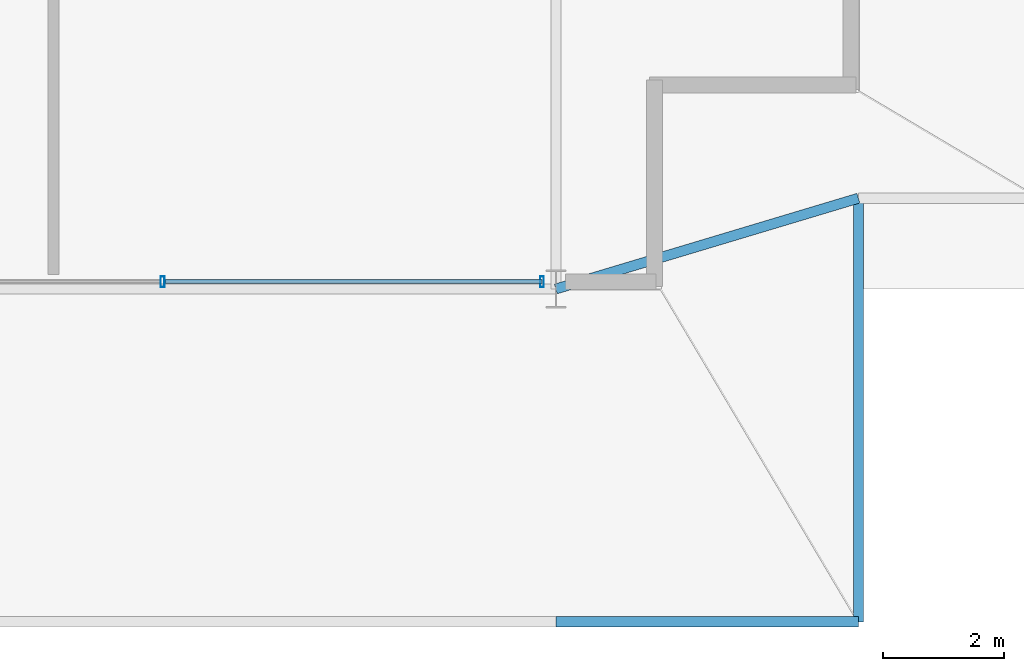
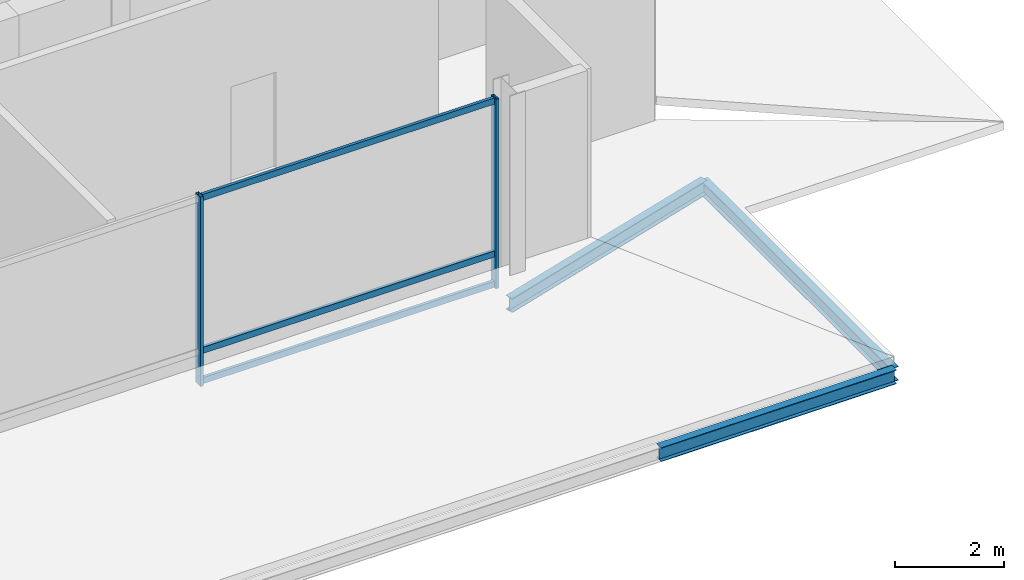
# One storey, part 4 of 9: 5 members, 3 beams, 1 element without a shape of its own.
"""IFC4 building model written with IfcOpenShell, lengths in metres."""

from ifc_helpers import new_model, si_unit, direction, frame, origin, origin_2d, place, context, subcontext, project, spatial, hollow_rectangle, i_section, extrude, material, layer, layer_set, material_profile, profile_set, type_object, element, aggregate, save


model = new_model("IFC4")

# Units and contexts
model_context = context("Model", 3, precision=1e-05, world=origin(), true_north=direction((0.0, 1.0)))
body_context = subcontext(model_context, "Body", "Model", "MODEL_VIEW")
ifc_project = project(units=[si_unit("LENGTHUNIT", "METRE"), si_unit("AREAUNIT", "SQUARE_METRE"), si_unit("VOLUMEUNIT", "CUBIC_METRE"), si_unit("PLANEANGLEUNIT", "RADIAN"), si_unit("MASSUNIT", "GRAM", prefix="KILO")], contexts=[model_context])

# Site, building, storey
site_placement = place(None, origin())
site = spatial("IfcSite", under=ifc_project, at=site_placement, CompositionType="ELEMENT")
building_placement = place(site_placement, origin())
building = spatial("IfcBuilding", under=site, at=building_placement, Name="Barlavira Tower and Art Museum", CompositionType="ELEMENT")
storey_placement = place(building_placement, frame((0.0, 0.0, 309.89990234375)))
storey = spatial("IfcBuildingStorey", under=building, at=storey_placement, Name="L81", CompositionType="ELEMENT", Elevation=309.89990234375)

# Beams
ifc_material_1 = material(Name="Steel S355", Category="steel")
ifc_material_profile_1 = material_profile(ifc_material_1, i_section(OverallWidth=0.1669921875, OverallDepth=0.31689453125, WebThickness=0.007568359375, FlangeThickness=0.01318359375, at=origin_2d()), Name="W310x52.0")
ifc_profile_set_1 = profile_set([ifc_material_profile_1], Name="Steel S355")
beam_type = type_object("IfcBeamType", Name="Crown Floor Joist W310x52 Steel S355", PredefinedType="JOIST", material=ifc_profile_set_1)
beam_1_placement = place(storey_placement, frame((6.5, -20.0, -0.408447265625), z_axis=(1.0, 0.0, 0.0), x_axis=(0.0, 1.0, 0.0)))
element("IfcBeam", 1, at=beam_1_placement, inside=storey, type_object=beam_type, Name="L81 Lookout Canopy Ring Beam CANS3", PredefinedType="JOIST", context=body_context, shape_type="SweptSolid", body=[
    extrude(i_section(OverallWidth=0.1669921875, OverallDepth=0.31689453125, WebThickness=0.007568359375, FlangeThickness=0.01318359375, at=origin_2d()), origin(), (0.0, 0.0, 1.0), 5.0),
])
beam_2_placement = place(storey_placement, frame((11.5, -20.0, -0.408447265625), z_axis=(0.0, 1.0, 0.0), x_axis=(-1.0, 0.0, 0.0)))
element("IfcBeam", 2, at=beam_2_placement, inside=storey, type_object=beam_type, Name="L81 Lookout Canopy Ring Beam CSE1", PredefinedType="JOIST", context=body_context, shape_type="SweptSolid", body=[
    extrude(i_section(OverallWidth=0.1669921875, OverallDepth=0.31689453125, WebThickness=0.007568359375, FlangeThickness=0.01318359375, at=origin_2d()), origin(), (0.0, 0.0, 1.0), 7.0),
])
beam_3_placement = place(storey_placement, frame((11.5, -13.0, -0.408447265625), z_axis=(-0.957826285221, -0.287347885566, 0.0), x_axis=(0.287347885566, -0.957826285221, 0.0)))
element("IfcBeam", 3, at=beam_3_placement, inside=storey, type_object=beam_type, Name="L81 Lookout Canopy Ring Beam CRSE", PredefinedType="JOIST", context=body_context, shape_type="SweptSolid", body=[
    extrude(i_section(OverallWidth=0.1669921875, OverallDepth=0.31689453125, WebThickness=0.007568359375, FlangeThickness=0.01318359375, at=origin_2d()), origin(), (0.0, 0.0, 1.0), 5.22021484375),
])

# Curtain wall, members
ifc_material_2 = material(Name="Low-iron coastal laminated glass", Category="glass")
ifc_layer = layer(ifc_material_2, 0.22998046875, Name="Low-iron coastal laminated glass")
ifc_layer_set = layer_set([ifc_layer], Name="Low-iron coastal laminated glass")
curtain_wall_type = type_object("IfcCurtainWallType", Name="Winter-Garden Conservatory Glazed Curtain Wall", PredefinedType="NOTDEFINED", material=ifc_layer_set)
curtain_wall_placement = place(storey_placement, origin())
curtain_wall = element("IfcCurtainWall", 4, at=curtain_wall_placement, inside=storey, type_object=curtain_wall_type, Name="L81 Curtain Wall CW7-L81-S-B2", PredefinedType="NOTDEFINED")
ifc_material_3 = material(Name="Pale anodised aluminium", Category="aluminium")
ifc_material_profile_2 = material_profile(ifc_material_3, hollow_rectangle(XDim=0.06494140625, YDim=0.179931640625, WallThickness=0.00390625, at=origin_2d()), Name="ALU-MULL 65x180x4")
ifc_profile_set_2 = profile_set([ifc_material_profile_2], Name="Pale anodised aluminium")
member_type_1 = type_object("IfcMemberType", Name="Curtain Wall Pale-Metal Mullion 65x180", PredefinedType="MULLION", material=ifc_profile_set_2)
member_1_placement = place(storey_placement, frame((0.0, -14.3798828125, 0.0), z_axis=(0.0, 0.0, 1.0), x_axis=(1.0, 0.0, 0.0)))
member_1 = element("IfcMember", 5, at=member_1_placement, type_object=member_type_1, Name="CW7-L81-S-B2 Mullion 1", PredefinedType="MULLION", context=body_context, shape_type="SweptSolid", body=[
    extrude(hollow_rectangle(XDim=0.06494140625, YDim=0.179931640625, WallThickness=0.00390625, at=origin_2d()), origin(), (0.0, 0.0, 1.0), 4.25),
])
member_2_placement = place(storey_placement, frame((6.27099609375, -14.3798828125, 0.0), z_axis=(0.0, 0.0, 1.0), x_axis=(1.0, 0.0, 0.0)))
member_2 = element("IfcMember", 6, at=member_2_placement, type_object=member_type_1, Name="CW7-L81-S-B2 Mullion 2", PredefinedType="MULLION", context=body_context, shape_type="SweptSolid", body=[
    extrude(hollow_rectangle(XDim=0.06494140625, YDim=0.179931640625, WallThickness=0.00390625, at=origin_2d()), origin(), (0.0, 0.0, 1.0), 4.25),
])
ifc_material_profile_3 = material_profile(ifc_material_3, hollow_rectangle(XDim=0.06494140625, YDim=0.139892578125, WallThickness=0.00390625, at=origin_2d()), Name="ALU-TRAN 65x140x4")
ifc_profile_set_3 = profile_set([ifc_material_profile_3], Name="Pale anodised aluminium")
member_type_2 = type_object("IfcMemberType", Name="Curtain Wall Pale-Metal Transom 65x140", PredefinedType="USERDEFINED", material=ifc_profile_set_3)
member_3_placement = place(storey_placement, frame((0.044921875, -14.3798828125, 0.070068359375), z_axis=(1.0, 0.0, 0.0), x_axis=(0.0, 1.0, 0.0)))
member_3 = element("IfcMember", 7, at=member_3_placement, type_object=member_type_2, Name="CW7-L81-S-B2 Transom 1.1", ObjectType="TRANSOM", PredefinedType="USERDEFINED", context=body_context, shape_type="SweptSolid", body=[
    extrude(hollow_rectangle(XDim=0.06494140625, YDim=0.139892578125, WallThickness=0.00390625, at=origin_2d()), origin(), (0.0, 0.0, 1.0), 6.22607421875),
])
member_4_placement = place(storey_placement, frame((0.044921875, -14.3798828125, 0.75), z_axis=(1.0, 0.0, 0.0), x_axis=(0.0, 1.0, 0.0)))
member_4 = element("IfcMember", 8, at=member_4_placement, type_object=member_type_2, Name="CW7-L81-S-B2 Transom 1.2", ObjectType="TRANSOM", PredefinedType="USERDEFINED", context=body_context, shape_type="SweptSolid", body=[
    extrude(hollow_rectangle(XDim=0.06494140625, YDim=0.139892578125, WallThickness=0.00390625, at=origin_2d()), origin(), (0.0, 0.0, 1.0), 6.22607421875),
])
member_5_placement = place(storey_placement, frame((0.044921875, -14.3798828125, 4.18017578125), z_axis=(1.0, 0.0, 0.0), x_axis=(0.0, 1.0, 0.0)))
member_5 = element("IfcMember", 9, at=member_5_placement, type_object=member_type_2, Name="CW7-L81-S-B2 Transom 1.3", ObjectType="TRANSOM", PredefinedType="USERDEFINED", context=body_context, shape_type="SweptSolid", body=[
    extrude(hollow_rectangle(XDim=0.06494140625, YDim=0.139892578125, WallThickness=0.00390625, at=origin_2d()), origin(), (0.0, 0.0, 1.0), 6.22607421875),
])
aggregate(curtain_wall, [member_1, member_2, member_3, member_4, member_5])

save(model, "model.ifc")
